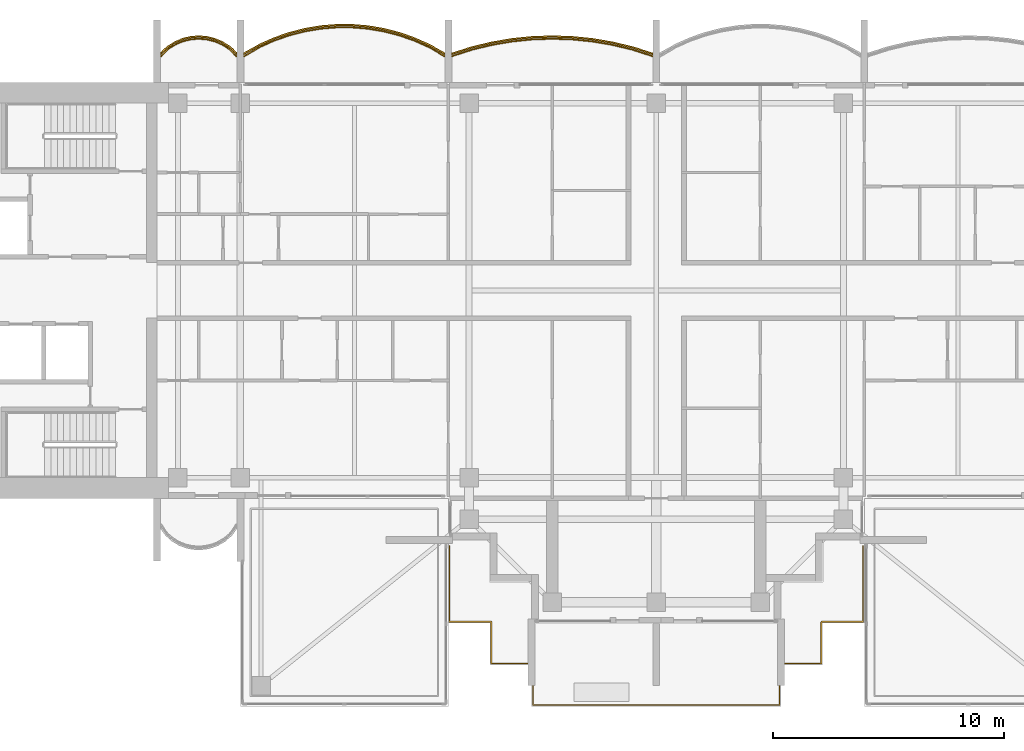
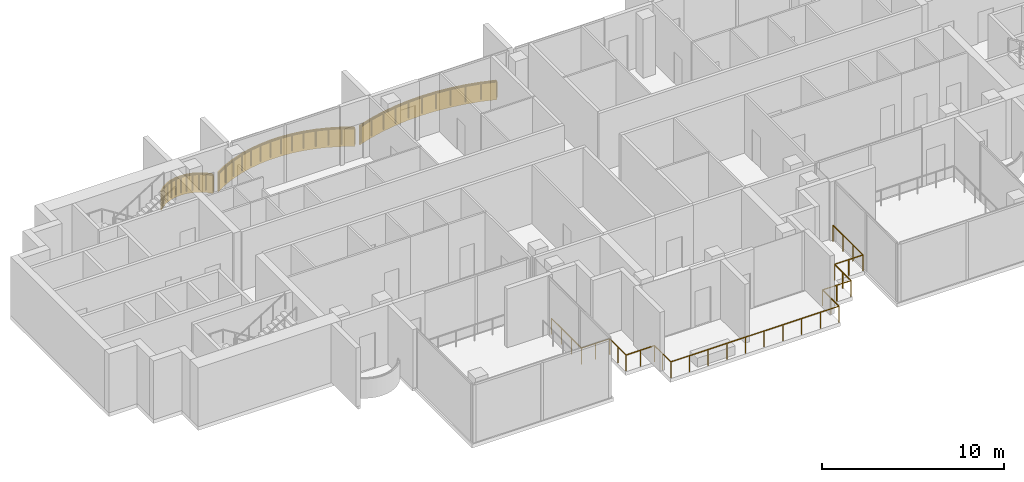
# One storey, part 14 of 16: 4 railings, 3 coverings.
"""IFC4 building model written with IfcOpenShell, lengths in metres."""

from ifc_helpers import new_model, si_unit, direction, frame, origin, origin_2d, place, context, subcontext, project, spatial, polyline, rectangle, outline, extrude, material, layer, layer_set, type_object, element, save


model = new_model("IFC4")

# Units and contexts
model_context = context("Model", 3, precision=1e-05, world=origin(), true_north=direction((0.0, 1.0)))
body_context = subcontext(model_context, "Body", "Model", "MODEL_VIEW")
ifc_project = project(units=[si_unit("LENGTHUNIT", "METRE"), si_unit("AREAUNIT", "SQUARE_METRE"), si_unit("VOLUMEUNIT", "CUBIC_METRE"), si_unit("PLANEANGLEUNIT", "RADIAN"), si_unit("MASSUNIT", "GRAM", prefix="KILO")], contexts=[model_context])

# Site, building, storey
site_placement = place(None, origin())
site = spatial("IfcSite", under=ifc_project, at=site_placement, CompositionType="ELEMENT")
building_placement = place(site_placement, origin())
building = spatial("IfcBuilding", under=site, at=building_placement, Name="Perihelion Cross Residences", CompositionType="ELEMENT")
storey_placement = place(building_placement, frame((0.0, 0.0, 290.39990234375)))
storey = spatial("IfcBuildingStorey", under=building, at=storey_placement, Name="L74", CompositionType="ELEMENT", Elevation=290.39990234375)

# Coverings
ifc_material_1 = material(Name="Bronze anodised aluminium", Category="aluminium")
ifc_layer = layer(ifc_material_1, 0.070068359375)
ifc_layer_set = layer_set([ifc_layer], Name="Balcony fascia 1300")
covering_type = type_object("IfcCoveringType", Name="Balcony fascia 1300", PredefinedType="CLADDING", material=ifc_layer_set)
covering_1_placement = place(storey_placement, frame((0.0, 0.0, -0.199951171875)))
element("IfcCovering", 1, at=covering_1_placement, inside=storey, type_object=covering_type, Name="Fascia BF1 L74 north side east bay 2", PredefinedType="CLADDING", context=body_context, shape_type="SweptSolid", body=[
    extrude(outline(polyline([(-1.001220703125, 10.542724609375), (-1.8759765625, 10.753662109375), (-2.750732421875, 10.90234375), (-3.625244140625, 10.99072265625), (-4.5, 11.02001953125), (-5.374755859375, 10.99072265625), (-6.249267578125, 10.90234375), (-7.1240234375, 10.753662109375), (-7.998779296875, 10.542724609375), (-8.85009765625, 10.2734375), (-8.85009765625, 10.199951171875), (-7.97998046875, 10.47509765625), (-7.110107421875, 10.68505859375), (-6.239990234375, 10.8330078125), (-5.3701171875, 10.9208984375), (-4.5, 10.949951171875), (-3.6298828125, 10.9208984375), (-2.760009765625, 10.8330078125), (-1.889892578125, 10.68505859375), (-1.02001953125, 10.47509765625), (-0.14990234375, 10.199951171875), (-0.14990234375, 10.2734375), (-1.001220703125, 10.542724609375)])), origin(), (0.0, 0.0, 1.0), 1.300048828125),
])
covering_2_placement = place(storey_placement, frame((0.0, 0.0, -0.199951171875)))
element("IfcCovering", 2, at=covering_2_placement, inside=storey, type_object=covering_type, Name="Fascia BF1 L74 west side north bay 1", PredefinedType="CLADDING", context=body_context, shape_type="SweptSolid", body=[
    extrude(outline(polyline([(-9.787841796875, 10.63916015625), (-10.462646484375, 10.941650390625), (-11.1376953125, 11.175048828125), (-11.8125, 11.345947265625), (-12.487548828125, 11.457763671875), (-13.16259765625, 11.51318359375), (-13.83740234375, 11.51318359375), (-14.512451171875, 11.457763671875), (-15.1875, 11.345947265625), (-15.8623046875, 11.175048828125), (-16.537353515625, 10.941650390625), (-17.212158203125, 10.63916015625), (-17.85009765625, 10.2802734375), (-17.85009765625, 10.199951171875), (-17.1806640625, 10.57666015625), (-16.511474609375, 10.87646484375), (-15.84228515625, 11.108154296875), (-15.173095703125, 11.27734375), (-14.50390625, 11.38818359375), (-13.834716796875, 11.443115234375), (-13.165283203125, 11.443115234375), (-12.49609375, 11.38818359375), (-11.826904296875, 11.27734375), (-11.15771484375, 11.108154296875), (-10.488525390625, 10.87646484375), (-9.8193359375, 10.57666015625), (-9.14990234375, 10.199951171875), (-9.14990234375, 10.2802734375), (-9.787841796875, 10.63916015625)])), origin(), (0.0, 0.0, 1.0), 1.300048828125),
])
covering_3_placement = place(storey_placement, frame((0.0, 0.0, -0.199951171875)))
element("IfcCovering", 3, at=covering_3_placement, inside=storey, type_object=covering_type, Name="Fascia BF1 L74 west side north bay 2", PredefinedType="CLADDING", context=body_context, shape_type="SweptSolid", body=[
    extrude(outline(polyline([(-18.4375, 10.56298828125), (-18.778076171875, 10.77587890625), (-19.11865234375, 10.914794921875), (-19.45947265625, 10.994140625), (-19.800048828125, 11.02001953125), (-20.140625, 10.994140625), (-20.481201171875, 10.914794921875), (-20.82177734375, 10.77587890625), (-21.16259765625, 10.56298828125), (-21.449951171875, 10.295654296875), (-21.449951171875, 10.199951171875), (-21.1201171875, 10.507568359375), (-20.7900390625, 10.71337890625), (-20.4599609375, 10.84814453125), (-20.1298828125, 10.925048828125), (-19.800048828125, 10.949951171875), (-19.469970703125, 10.925048828125), (-19.139892578125, 10.84814453125), (-18.81005859375, 10.71337890625), (-18.47998046875, 10.507568359375), (-18.14990234375, 10.199951171875), (-18.14990234375, 10.295654296875), (-18.4375, 10.56298828125)])), origin(), (0.0, 0.0, 1.0), 1.300048828125),
])

# Railings
ifc_material_2 = material(Name="Bronze anodised aluminium", Category="aluminium")
railing_type_1 = type_object("IfcRailingType", Name="Balcony guard 1100", PredefinedType="GUARDRAIL", material=ifc_material_2)
railing_1_placement = place(storey_placement, frame((-0.175048828125, 10.139892578125, 0.0)))
element("IfcRailing", 4, at=railing_1_placement, inside=storey, type_object=railing_type_1, Name="Guard GU1 L74 north side east bay 2 balcony", PredefinedType="GUARDRAIL", context=body_context, shape_type="SweptSolid", body=[
    extrude(rectangle(XDim=0.048095703125, YDim=0.048095703125, at=origin_2d()), frame((0.0, 0.0, 1.076171875), z_axis=(-0.950777354264, 0.30987484993, 0.0), x_axis=(-0.30987484993, -0.950777354264, 0.0)), (0.0, 0.0, 1.0), 0.888671875),
    extrude(rectangle(XDim=0.048095703125, YDim=0.048095703125, at=origin_2d()), frame((-0.844970703125, 0.275390625, 1.076171875), z_axis=(-0.972146551129, 0.234373810671, 0.0), x_axis=(-0.234373810671, -0.972146551129, 0.0)), (0.0, 0.0, 1.0), 0.894775390625),
    extrude(rectangle(XDim=0.048095703125, YDim=0.048095703125, at=origin_2d()), frame((-1.71484375, 0.485107421875, 1.076171875), z_axis=(-0.985850361727, 0.167627755108, 0.0), x_axis=(-0.167627755108, -0.985850361727, 0.0)), (0.0, 0.0, 1.0), 0.882568359375),
    extrude(rectangle(XDim=0.048095703125, YDim=0.048095703125, at=origin_2d()), frame((-2.5849609375, 0.633056640625, 1.076171875), z_axis=(-0.994934368303, 0.100526627165, 0.0), x_axis=(-0.100526627165, -0.994934368303, 0.0)), (0.0, 0.0, 1.0), 0.874267578125),
    extrude(rectangle(XDim=0.048095703125, YDim=0.048095703125, at=origin_2d()), frame((-3.454833984375, 0.720947265625, 1.076171875), z_axis=(-0.999443037968, 0.0333708534, 0.0), x_axis=(-0.0333708534, -0.999443037968, 0.0)), (0.0, 0.0, 1.0), 0.87060546875),
    extrude(rectangle(XDim=0.048095703125, YDim=0.048095703125, at=origin_2d()), frame((-4.324951171875, 0.75, 1.076171875), z_axis=(-0.999443037968, -0.0333708534, 0.0), x_axis=(0.0333708534, -0.999443037968, 0.0)), (0.0, 0.0, 1.0), 0.87060546875),
    extrude(rectangle(XDim=0.048095703125, YDim=0.048095703125, at=origin_2d()), frame((-5.195068359375, 0.720947265625, 1.076171875), z_axis=(-0.994934368303, -0.100526627165, 0.0), x_axis=(0.100526627165, -0.994934368303, 0.0)), (0.0, 0.0, 1.0), 0.874267578125),
    extrude(rectangle(XDim=0.048095703125, YDim=0.048095703125, at=origin_2d()), frame((-6.06494140625, 0.633056640625, 1.076171875), z_axis=(-0.985850361727, -0.167627755108, 0.0), x_axis=(0.167627755108, -0.985850361727, 0.0)), (0.0, 0.0, 1.0), 0.882568359375),
    extrude(rectangle(XDim=0.048095703125, YDim=0.048095703125, at=origin_2d()), frame((-6.93505859375, 0.485107421875, 1.076171875), z_axis=(-0.972146551129, -0.234373810671, 0.0), x_axis=(0.234373810671, -0.972146551129, 0.0)), (0.0, 0.0, 1.0), 0.894775390625),
    extrude(rectangle(XDim=0.048095703125, YDim=0.048095703125, at=origin_2d()), frame((-7.804931640625, 0.275390625, 1.076171875), z_axis=(-0.950777354264, -0.30987484993, 0.0), x_axis=(0.30987484993, -0.950777354264, 0.0)), (0.0, 0.0, 1.0), 0.888671875),
    extrude(rectangle(XDim=0.0419921875, YDim=0.0419921875, at=origin_2d()), origin(), (0.0, 0.0, 1.0), 1.052001953125),
    extrude(rectangle(XDim=0.0419921875, YDim=0.0419921875, at=origin_2d()), frame((-0.844970703125, 0.275390625, 0.0)), (0.0, 0.0, 1.0), 1.052001953125),
    extrude(rectangle(XDim=0.0419921875, YDim=0.0419921875, at=origin_2d()), frame((-1.71484375, 0.485107421875, 0.0)), (0.0, 0.0, 1.0), 1.052001953125),
    extrude(rectangle(XDim=0.0419921875, YDim=0.0419921875, at=origin_2d()), frame((-2.5849609375, 0.633056640625, 0.0)), (0.0, 0.0, 1.0), 1.052001953125),
    extrude(rectangle(XDim=0.0419921875, YDim=0.0419921875, at=origin_2d()), frame((-3.454833984375, 0.720947265625, 0.0)), (0.0, 0.0, 1.0), 1.052001953125),
    extrude(rectangle(XDim=0.0419921875, YDim=0.0419921875, at=origin_2d()), frame((-4.324951171875, 0.75, 0.0)), (0.0, 0.0, 1.0), 1.052001953125),
    extrude(rectangle(XDim=0.0419921875, YDim=0.0419921875, at=origin_2d()), frame((-5.195068359375, 0.720947265625, 0.0)), (0.0, 0.0, 1.0), 1.052001953125),
    extrude(rectangle(XDim=0.0419921875, YDim=0.0419921875, at=origin_2d()), frame((-6.06494140625, 0.633056640625, 0.0)), (0.0, 0.0, 1.0), 1.052001953125),
    extrude(rectangle(XDim=0.0419921875, YDim=0.0419921875, at=origin_2d()), frame((-6.93505859375, 0.485107421875, 0.0)), (0.0, 0.0, 1.0), 1.052001953125),
    extrude(rectangle(XDim=0.0419921875, YDim=0.0419921875, at=origin_2d()), frame((-7.804931640625, 0.275390625, 0.0)), (0.0, 0.0, 1.0), 1.052001953125),
    extrude(rectangle(XDim=0.0419921875, YDim=0.0419921875, at=origin_2d()), frame((-8.64990234375, 0.0, 0.0)), (0.0, 0.0, 1.0), 1.052001953125),
])
railing_2_placement = place(storey_placement, frame((-9.175048828125, 10.139892578125, 0.0)))
element("IfcRailing", 5, at=railing_2_placement, inside=storey, type_object=railing_type_1, Name="Guard GU1 L74 west side north bay 1 balcony", PredefinedType="GUARDRAIL", context=body_context, shape_type="SweptSolid", body=[
    extrude(rectangle(XDim=0.048095703125, YDim=0.048095703125, at=origin_2d()), frame((0.0, 0.0, 1.076171875), z_axis=(-0.863125740505, 0.504989065305, 0.0), x_axis=(-0.504989065305, -0.863125740505, 0.0)), (0.0, 0.0, 1.0), 0.746337890625),
    extrude(rectangle(XDim=0.048095703125, YDim=0.048095703125, at=origin_2d()), frame((-0.644287109375, 0.376953125, 1.076171875), z_axis=(-0.912723499295, 0.408577794103, 0.0), x_axis=(-0.408577794103, -0.912723499295, 0.0)), (0.0, 0.0, 1.0), 0.733154296875),
    extrude(rectangle(XDim=0.048095703125, YDim=0.048095703125, at=origin_2d()), frame((-1.3134765625, 0.676513671875, 1.076171875), z_axis=(-0.944965577734, 0.327169767701, 0.0), x_axis=(-0.327169767701, -0.944965577734, 0.0)), (0.0, 0.0, 1.0), 0.708251953125),
    extrude(rectangle(XDim=0.048095703125, YDim=0.048095703125, at=origin_2d()), frame((-1.982666015625, 0.908203125, 1.076171875), z_axis=(-0.96949408574, 0.245114703181, 0.0), x_axis=(-0.245114703181, -0.96949408574, 0.0)), (0.0, 0.0, 1.0), 0.690185546875),
    extrude(rectangle(XDim=0.048095703125, YDim=0.048095703125, at=origin_2d()), frame((-2.65185546875, 1.077392578125, 1.076171875), z_axis=(-0.986500713816, 0.163756959061, 0.0), x_axis=(-0.163756959061, -0.986500713816, 0.0)), (0.0, 0.0, 1.0), 0.678466796875),
    extrude(rectangle(XDim=0.048095703125, YDim=0.048095703125, at=origin_2d()), frame((-3.321044921875, 1.1884765625, 1.076171875), z_axis=(-0.996677390684, 0.081450468994, 0.0), x_axis=(-0.081450468994, -0.996677390684, 0.0)), (0.0, 0.0, 1.0), 0.67138671875),
    extrude(rectangle(XDim=0.048095703125, YDim=0.048095703125, at=origin_2d()), frame((-3.990234375, 1.2431640625, 1.076171875), z_axis=(-1.0, 0.0, 0.0), x_axis=(0.0, -1.0, 0.0)), (0.0, 0.0, 1.0), 0.66943359375),
    extrude(rectangle(XDim=0.048095703125, YDim=0.048095703125, at=origin_2d()), frame((-4.65966796875, 1.2431640625, 1.076171875), z_axis=(-0.996677390684, -0.081450468994, 0.0), x_axis=(0.081450468994, -0.996677390684, 0.0)), (0.0, 0.0, 1.0), 0.67138671875),
    extrude(rectangle(XDim=0.048095703125, YDim=0.048095703125, at=origin_2d()), frame((-5.328857421875, 1.1884765625, 1.076171875), z_axis=(-0.986500713816, -0.163756959061, 0.0), x_axis=(0.163756959061, -0.986500713816, 0.0)), (0.0, 0.0, 1.0), 0.678466796875),
    extrude(rectangle(XDim=0.048095703125, YDim=0.048095703125, at=origin_2d()), frame((-5.998046875, 1.077392578125, 1.076171875), z_axis=(-0.96949408574, -0.245114703181, 0.0), x_axis=(0.245114703181, -0.96949408574, 0.0)), (0.0, 0.0, 1.0), 0.690185546875),
    extrude(rectangle(XDim=0.048095703125, YDim=0.048095703125, at=origin_2d()), frame((-6.667236328125, 0.908203125, 1.076171875), z_axis=(-0.944965577734, -0.327169767701, 0.0), x_axis=(0.327169767701, -0.944965577734, 0.0)), (0.0, 0.0, 1.0), 0.708251953125),
    extrude(rectangle(XDim=0.048095703125, YDim=0.048095703125, at=origin_2d()), frame((-7.33642578125, 0.676513671875, 1.076171875), z_axis=(-0.912723499295, -0.408577794103, 0.0), x_axis=(0.408577794103, -0.912723499295, 0.0)), (0.0, 0.0, 1.0), 0.733154296875),
    extrude(rectangle(XDim=0.048095703125, YDim=0.048095703125, at=origin_2d()), frame((-8.005615234375, 0.376953125, 1.076171875), z_axis=(-0.863125740505, -0.504989065305, 0.0), x_axis=(0.504989065305, -0.863125740505, 0.0)), (0.0, 0.0, 1.0), 0.746337890625),
    extrude(rectangle(XDim=0.0419921875, YDim=0.0419921875, at=origin_2d()), origin(), (0.0, 0.0, 1.0), 1.052001953125),
    extrude(rectangle(XDim=0.0419921875, YDim=0.0419921875, at=origin_2d()), frame((-0.644287109375, 0.376953125, 0.0)), (0.0, 0.0, 1.0), 1.052001953125),
    extrude(rectangle(XDim=0.0419921875, YDim=0.0419921875, at=origin_2d()), frame((-1.3134765625, 0.676513671875, 0.0)), (0.0, 0.0, 1.0), 1.052001953125),
    extrude(rectangle(XDim=0.0419921875, YDim=0.0419921875, at=origin_2d()), frame((-1.982666015625, 0.908203125, 0.0)), (0.0, 0.0, 1.0), 1.052001953125),
    extrude(rectangle(XDim=0.0419921875, YDim=0.0419921875, at=origin_2d()), frame((-2.65185546875, 1.077392578125, 0.0)), (0.0, 0.0, 1.0), 1.052001953125),
    extrude(rectangle(XDim=0.0419921875, YDim=0.0419921875, at=origin_2d()), frame((-3.321044921875, 1.1884765625, 0.0)), (0.0, 0.0, 1.0), 1.052001953125),
    extrude(rectangle(XDim=0.0419921875, YDim=0.0419921875, at=origin_2d()), frame((-3.990234375, 1.2431640625, 0.0)), (0.0, 0.0, 1.0), 1.052001953125),
    extrude(rectangle(XDim=0.0419921875, YDim=0.0419921875, at=origin_2d()), frame((-4.65966796875, 1.2431640625, 0.0)), (0.0, 0.0, 1.0), 1.052001953125),
    extrude(rectangle(XDim=0.0419921875, YDim=0.0419921875, at=origin_2d()), frame((-5.328857421875, 1.1884765625, 0.0)), (0.0, 0.0, 1.0), 1.052001953125),
    extrude(rectangle(XDim=0.0419921875, YDim=0.0419921875, at=origin_2d()), frame((-5.998046875, 1.077392578125, 0.0)), (0.0, 0.0, 1.0), 1.052001953125),
    extrude(rectangle(XDim=0.0419921875, YDim=0.0419921875, at=origin_2d()), frame((-6.667236328125, 0.908203125, 0.0)), (0.0, 0.0, 1.0), 1.052001953125),
    extrude(rectangle(XDim=0.0419921875, YDim=0.0419921875, at=origin_2d()), frame((-7.33642578125, 0.676513671875, 0.0)), (0.0, 0.0, 1.0), 1.052001953125),
    extrude(rectangle(XDim=0.0419921875, YDim=0.0419921875, at=origin_2d()), frame((-8.005615234375, 0.376953125, 0.0)), (0.0, 0.0, 1.0), 1.052001953125),
    extrude(rectangle(XDim=0.0419921875, YDim=0.0419921875, at=origin_2d()), frame((-8.64990234375, 0.0, 0.0)), (0.0, 0.0, 1.0), 1.052001953125),
])
railing_3_placement = place(storey_placement, frame((-18.175048828125, 10.139892578125, 0.0)))
element("IfcRailing", 6, at=railing_3_placement, inside=storey, type_object=railing_type_1, Name="Guard GU1 L74 west side north bay 2 balcony", PredefinedType="GUARDRAIL", context=body_context, shape_type="SweptSolid", body=[
    extrude(rectangle(XDim=0.048095703125, YDim=0.048095703125, at=origin_2d()), frame((0.0, 0.0, 1.076171875), z_axis=(-0.703999905859, 0.710200065158, 0.0), x_axis=(-0.710200065158, -0.703999905859, 0.0)), (0.0, 0.0, 1.0), 0.43310546875),
    extrude(rectangle(XDim=0.048095703125, YDim=0.048095703125, at=origin_2d()), frame((-0.304931640625, 0.3076171875, 1.076171875), z_axis=(-0.848280173265, 0.529547682127, 0.0), x_axis=(-0.529547682127, -0.848280173265, 0.0)), (0.0, 0.0, 1.0), 0.38916015625),
    extrude(rectangle(XDim=0.048095703125, YDim=0.048095703125, at=origin_2d()), frame((-0.635009765625, 0.513671875, 1.076171875), z_axis=(-0.925950379976, 0.377645195682, 0.0), x_axis=(-0.377645195682, -0.925950379976, 0.0)), (0.0, 0.0, 1.0), 0.356201171875),
    extrude(rectangle(XDim=0.048095703125, YDim=0.048095703125, at=origin_2d()), frame((-0.96484375, 0.648193359375, 1.076171875), z_axis=(-0.97391554583, 0.226910796551, 0.0), x_axis=(-0.226910796551, -0.97391554583, 0.0)), (0.0, 0.0, 1.0), 0.3388671875),
    extrude(rectangle(XDim=0.048095703125, YDim=0.048095703125, at=origin_2d()), frame((-1.294921875, 0.72509765625, 1.076171875), z_axis=(-0.997166208737, 0.075229995038, 0.0), x_axis=(-0.075229995038, -0.997166208737, 0.0)), (0.0, 0.0, 1.0), 0.3310546875),
    extrude(rectangle(XDim=0.048095703125, YDim=0.048095703125, at=origin_2d()), frame((-1.625, 0.75, 1.076171875), z_axis=(-0.997162029931, -0.075285364214, 0.0), x_axis=(0.075285364214, -0.997162029931, 0.0)), (0.0, 0.0, 1.0), 0.330810546875),
    extrude(rectangle(XDim=0.048095703125, YDim=0.048095703125, at=origin_2d()), frame((-1.954833984375, 0.72509765625, 1.076171875), z_axis=(-0.97391554583, -0.226910796551, 0.0), x_axis=(0.226910796551, -0.97391554583, 0.0)), (0.0, 0.0, 1.0), 0.3388671875),
    extrude(rectangle(XDim=0.048095703125, YDim=0.048095703125, at=origin_2d()), frame((-2.284912109375, 0.648193359375, 1.076171875), z_axis=(-0.926048033295, -0.377405670374, 0.0), x_axis=(0.377405670374, -0.926048033295, 0.0)), (0.0, 0.0, 1.0), 0.3564453125),
    extrude(rectangle(XDim=0.048095703125, YDim=0.048095703125, at=origin_2d()), frame((-2.614990234375, 0.513671875, 1.076171875), z_axis=(-0.848280173265, -0.529547682127, 0.0), x_axis=(0.529547682127, -0.848280173265, 0.0)), (0.0, 0.0, 1.0), 0.38916015625),
    extrude(rectangle(XDim=0.048095703125, YDim=0.048095703125, at=origin_2d()), frame((-2.945068359375, 0.3076171875, 1.076171875), z_axis=(-0.703999905859, -0.710200065158, 0.0), x_axis=(0.710200065158, -0.703999905859, 0.0)), (0.0, 0.0, 1.0), 0.43310546875),
    extrude(rectangle(XDim=0.0419921875, YDim=0.0419921875, at=origin_2d()), origin(), (0.0, 0.0, 1.0), 1.052001953125),
    extrude(rectangle(XDim=0.0419921875, YDim=0.0419921875, at=origin_2d()), frame((-0.304931640625, 0.3076171875, 0.0)), (0.0, 0.0, 1.0), 1.052001953125),
    extrude(rectangle(XDim=0.0419921875, YDim=0.0419921875, at=origin_2d()), frame((-0.635009765625, 0.513671875, 0.0)), (0.0, 0.0, 1.0), 1.052001953125),
    extrude(rectangle(XDim=0.0419921875, YDim=0.0419921875, at=origin_2d()), frame((-0.96484375, 0.648193359375, 0.0)), (0.0, 0.0, 1.0), 1.052001953125),
    extrude(rectangle(XDim=0.0419921875, YDim=0.0419921875, at=origin_2d()), frame((-1.294921875, 0.72509765625, 0.0)), (0.0, 0.0, 1.0), 1.052001953125),
    extrude(rectangle(XDim=0.0419921875, YDim=0.0419921875, at=origin_2d()), frame((-1.625, 0.75, 0.0)), (0.0, 0.0, 1.0), 1.052001953125),
    extrude(rectangle(XDim=0.0419921875, YDim=0.0419921875, at=origin_2d()), frame((-1.954833984375, 0.72509765625, 0.0)), (0.0, 0.0, 1.0), 1.052001953125),
    extrude(rectangle(XDim=0.0419921875, YDim=0.0419921875, at=origin_2d()), frame((-2.284912109375, 0.648193359375, 0.0)), (0.0, 0.0, 1.0), 1.052001953125),
    extrude(rectangle(XDim=0.0419921875, YDim=0.0419921875, at=origin_2d()), frame((-2.614990234375, 0.513671875, 0.0)), (0.0, 0.0, 1.0), 1.052001953125),
    extrude(rectangle(XDim=0.0419921875, YDim=0.0419921875, at=origin_2d()), frame((-2.945068359375, 0.3076171875, 0.0)), (0.0, 0.0, 1.0), 1.052001953125),
    extrude(rectangle(XDim=0.0419921875, YDim=0.0419921875, at=origin_2d()), frame((-3.25, 0.0, 0.0)), (0.0, 0.0, 1.0), 1.052001953125),
])
ifc_material_3 = material(Name="Bronze anodised aluminium", Category="aluminium")
railing_type_2 = type_object("IfcRailingType", Name="Terrace guard 1100", PredefinedType="GUARDRAIL", material=ifc_material_3)
railing_4_placement = place(storey_placement, frame((8.93994140625, -11.050048828125, 0.0)))
element("IfcRailing", 7, at=railing_4_placement, inside=storey, type_object=railing_type_2, Name="Guard GU2 L74 terrace 1 1", PredefinedType="GUARDRAIL", context=body_context, shape_type="SweptSolid", body=[
    extrude(rectangle(XDim=0.048095703125, YDim=0.048095703125, at=origin_2d()), frame((0.0, 0.0, 1.076171875), z_axis=(0.0, -1.0, 0.0), x_axis=(1.0, 0.0, 0.0)), (0.0, 0.0, 1.0), 3.2900390625),
    extrude(rectangle(XDim=0.048095703125, YDim=0.048095703125, at=origin_2d()), frame((0.0, -3.2900390625, 1.076171875), z_axis=(-1.0, 0.0, 0.0), x_axis=(0.0, -1.0, 0.0)), (0.0, 0.0, 1.0), 1.800048828125),
    extrude(rectangle(XDim=0.048095703125, YDim=0.048095703125, at=origin_2d()), frame((-1.800048828125, -3.2900390625, 1.076171875), z_axis=(0.0, -1.0, 0.0), x_axis=(1.0, 0.0, 0.0)), (0.0, 0.0, 1.0), 1.7998046875),
    extrude(rectangle(XDim=0.048095703125, YDim=0.048095703125, at=origin_2d()), frame((-1.800048828125, -5.08984375, 1.076171875), z_axis=(-1.0, 0.0, 0.0), x_axis=(0.0, -1.0, 0.0)), (0.0, 0.0, 1.0), 1.7998046875),
    extrude(rectangle(XDim=0.048095703125, YDim=0.048095703125, at=origin_2d()), frame((-3.599853515625, -5.08984375, 1.076171875), z_axis=(0.0, -1.0, 0.0), x_axis=(1.0, 0.0, 0.0)), (0.0, 0.0, 1.0), 1.800048828125),
    extrude(rectangle(XDim=0.048095703125, YDim=0.048095703125, at=origin_2d()), frame((-3.599853515625, -6.889892578125, 1.076171875), z_axis=(-1.0, 0.0, 0.0), x_axis=(0.0, -1.0, 0.0)), (0.0, 0.0, 1.0), 10.68017578125),
    extrude(rectangle(XDim=0.048095703125, YDim=0.048095703125, at=origin_2d()), frame((-14.280029296875, -6.889892578125, 1.076171875), z_axis=(0.0, 1.0, 0.0), x_axis=(-1.0, 0.0, 0.0)), (0.0, 0.0, 1.0), 1.800048828125),
    extrude(rectangle(XDim=0.048095703125, YDim=0.048095703125, at=origin_2d()), frame((-14.280029296875, -5.08984375, 1.076171875), z_axis=(-1.0, 0.0, 0.0), x_axis=(0.0, -1.0, 0.0)), (0.0, 0.0, 1.0), 1.7998046875),
    extrude(rectangle(XDim=0.048095703125, YDim=0.048095703125, at=origin_2d()), frame((-16.079833984375, -5.08984375, 1.076171875), z_axis=(0.0, 1.0, 0.0), x_axis=(-1.0, 0.0, 0.0)), (0.0, 0.0, 1.0), 1.7998046875),
    extrude(rectangle(XDim=0.048095703125, YDim=0.048095703125, at=origin_2d()), frame((-16.079833984375, -3.2900390625, 1.076171875), z_axis=(-1.0, 0.0, 0.0), x_axis=(0.0, -1.0, 0.0)), (0.0, 0.0, 1.0), 1.800048828125),
    extrude(rectangle(XDim=0.048095703125, YDim=0.048095703125, at=origin_2d()), frame((-17.8798828125, -3.2900390625, 1.076171875), z_axis=(0.0, 1.0, 0.0), x_axis=(-1.0, 0.0, 0.0)), (0.0, 0.0, 1.0), 3.2900390625),
    extrude(rectangle(XDim=0.0419921875, YDim=0.0419921875, at=origin_2d()), origin(), (0.0, 0.0, 1.0), 1.052001953125),
    extrude(rectangle(XDim=0.0419921875, YDim=0.0419921875, at=origin_2d()), frame((0.0, -1.0966796875, 0.0)), (0.0, 0.0, 1.0), 1.052001953125),
    extrude(rectangle(XDim=0.0419921875, YDim=0.0419921875, at=origin_2d()), frame((0.0, -2.193359375, 0.0)), (0.0, 0.0, 1.0), 1.052001953125),
    extrude(rectangle(XDim=0.0419921875, YDim=0.0419921875, at=origin_2d()), frame((0.0, -3.2900390625, 0.0)), (0.0, 0.0, 1.0), 1.052001953125),
    extrude(rectangle(XDim=0.0419921875, YDim=0.0419921875, at=origin_2d()), frame((-0.89990234375, -3.2900390625, 0.0)), (0.0, 0.0, 1.0), 1.052001953125),
    extrude(rectangle(XDim=0.0419921875, YDim=0.0419921875, at=origin_2d()), frame((-1.800048828125, -3.2900390625, 0.0)), (0.0, 0.0, 1.0), 1.052001953125),
    extrude(rectangle(XDim=0.0419921875, YDim=0.0419921875, at=origin_2d()), frame((-1.800048828125, -4.18994140625, 0.0)), (0.0, 0.0, 1.0), 1.052001953125),
    extrude(rectangle(XDim=0.0419921875, YDim=0.0419921875, at=origin_2d()), frame((-1.800048828125, -5.08984375, 0.0)), (0.0, 0.0, 1.0), 1.052001953125),
    extrude(rectangle(XDim=0.0419921875, YDim=0.0419921875, at=origin_2d()), frame((-2.699951171875, -5.08984375, 0.0)), (0.0, 0.0, 1.0), 1.052001953125),
    extrude(rectangle(XDim=0.0419921875, YDim=0.0419921875, at=origin_2d()), frame((-3.599853515625, -5.08984375, 0.0)), (0.0, 0.0, 1.0), 1.052001953125),
    extrude(rectangle(XDim=0.0419921875, YDim=0.0419921875, at=origin_2d()), frame((-3.599853515625, -5.98974609375, 0.0)), (0.0, 0.0, 1.0), 1.052001953125),
    extrude(rectangle(XDim=0.0419921875, YDim=0.0419921875, at=origin_2d()), frame((-3.599853515625, -6.889892578125, 0.0)), (0.0, 0.0, 1.0), 1.052001953125),
    extrude(rectangle(XDim=0.0419921875, YDim=0.0419921875, at=origin_2d()), frame((-4.78662109375, -6.889892578125, 0.0)), (0.0, 0.0, 1.0), 1.052001953125),
    extrude(rectangle(XDim=0.0419921875, YDim=0.0419921875, at=origin_2d()), frame((-5.97314453125, -6.889892578125, 0.0)), (0.0, 0.0, 1.0), 1.052001953125),
    extrude(rectangle(XDim=0.0419921875, YDim=0.0419921875, at=origin_2d()), frame((-7.159912109375, -6.889892578125, 0.0)), (0.0, 0.0, 1.0), 1.052001953125),
    extrude(rectangle(XDim=0.0419921875, YDim=0.0419921875, at=origin_2d()), frame((-8.3466796875, -6.889892578125, 0.0)), (0.0, 0.0, 1.0), 1.052001953125),
    extrude(rectangle(XDim=0.0419921875, YDim=0.0419921875, at=origin_2d()), frame((-9.533203125, -6.889892578125, 0.0)), (0.0, 0.0, 1.0), 1.052001953125),
    extrude(rectangle(XDim=0.0419921875, YDim=0.0419921875, at=origin_2d()), frame((-10.719970703125, -6.889892578125, 0.0)), (0.0, 0.0, 1.0), 1.052001953125),
    extrude(rectangle(XDim=0.0419921875, YDim=0.0419921875, at=origin_2d()), frame((-11.90673828125, -6.889892578125, 0.0)), (0.0, 0.0, 1.0), 1.052001953125),
    extrude(rectangle(XDim=0.0419921875, YDim=0.0419921875, at=origin_2d()), frame((-13.09326171875, -6.889892578125, 0.0)), (0.0, 0.0, 1.0), 1.052001953125),
    extrude(rectangle(XDim=0.0419921875, YDim=0.0419921875, at=origin_2d()), frame((-14.280029296875, -6.889892578125, 0.0)), (0.0, 0.0, 1.0), 1.052001953125),
    extrude(rectangle(XDim=0.0419921875, YDim=0.0419921875, at=origin_2d()), frame((-14.280029296875, -5.98974609375, 0.0)), (0.0, 0.0, 1.0), 1.052001953125),
    extrude(rectangle(XDim=0.0419921875, YDim=0.0419921875, at=origin_2d()), frame((-14.280029296875, -5.08984375, 0.0)), (0.0, 0.0, 1.0), 1.052001953125),
    extrude(rectangle(XDim=0.0419921875, YDim=0.0419921875, at=origin_2d()), frame((-15.179931640625, -5.08984375, 0.0)), (0.0, 0.0, 1.0), 1.052001953125),
    extrude(rectangle(XDim=0.0419921875, YDim=0.0419921875, at=origin_2d()), frame((-16.079833984375, -5.08984375, 0.0)), (0.0, 0.0, 1.0), 1.052001953125),
    extrude(rectangle(XDim=0.0419921875, YDim=0.0419921875, at=origin_2d()), frame((-16.079833984375, -4.18994140625, 0.0)), (0.0, 0.0, 1.0), 1.052001953125),
    extrude(rectangle(XDim=0.0419921875, YDim=0.0419921875, at=origin_2d()), frame((-16.079833984375, -3.2900390625, 0.0)), (0.0, 0.0, 1.0), 1.052001953125),
    extrude(rectangle(XDim=0.0419921875, YDim=0.0419921875, at=origin_2d()), frame((-16.97998046875, -3.2900390625, 0.0)), (0.0, 0.0, 1.0), 1.052001953125),
    extrude(rectangle(XDim=0.0419921875, YDim=0.0419921875, at=origin_2d()), frame((-17.8798828125, -3.2900390625, 0.0)), (0.0, 0.0, 1.0), 1.052001953125),
    extrude(rectangle(XDim=0.0419921875, YDim=0.0419921875, at=origin_2d()), frame((-17.8798828125, -2.193359375, 0.0)), (0.0, 0.0, 1.0), 1.052001953125),
    extrude(rectangle(XDim=0.0419921875, YDim=0.0419921875, at=origin_2d()), frame((-17.8798828125, -1.0966796875, 0.0)), (0.0, 0.0, 1.0), 1.052001953125),
    extrude(rectangle(XDim=0.0419921875, YDim=0.0419921875, at=origin_2d()), frame((-17.8798828125, 0.0, 0.0)), (0.0, 0.0, 1.0), 1.052001953125),
])

save(model, "model.ifc")
